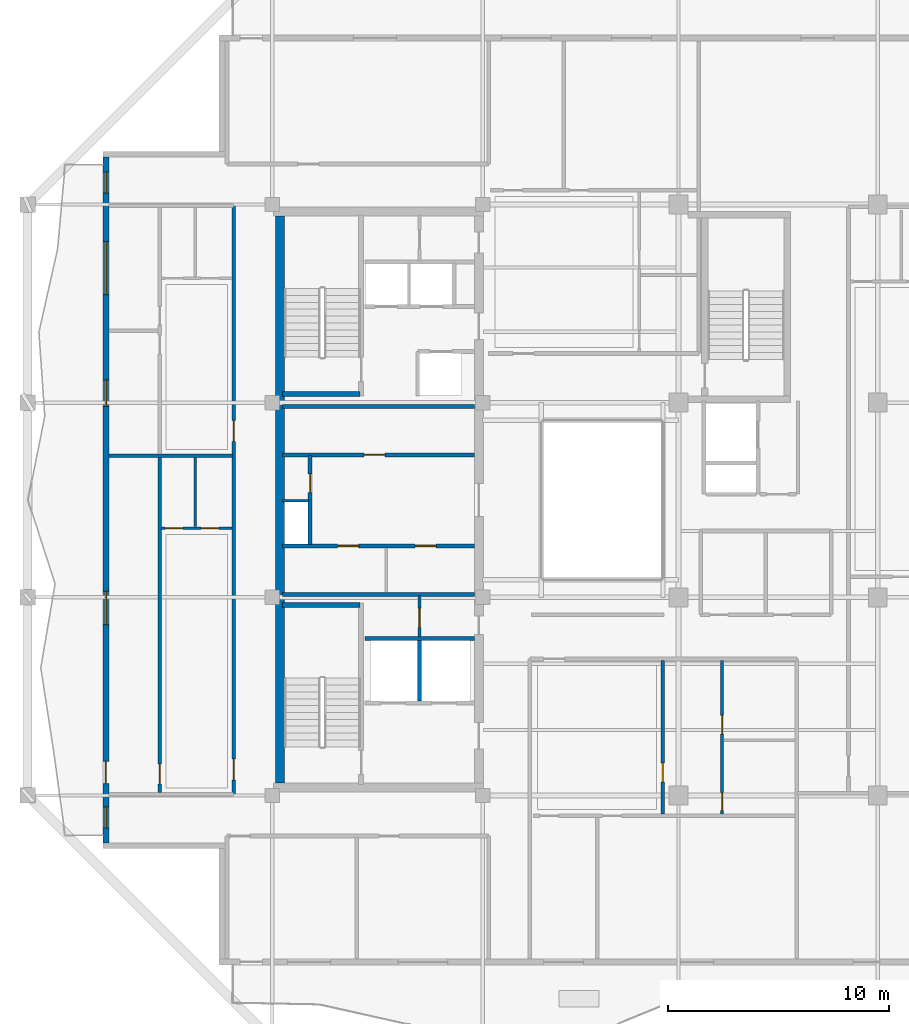
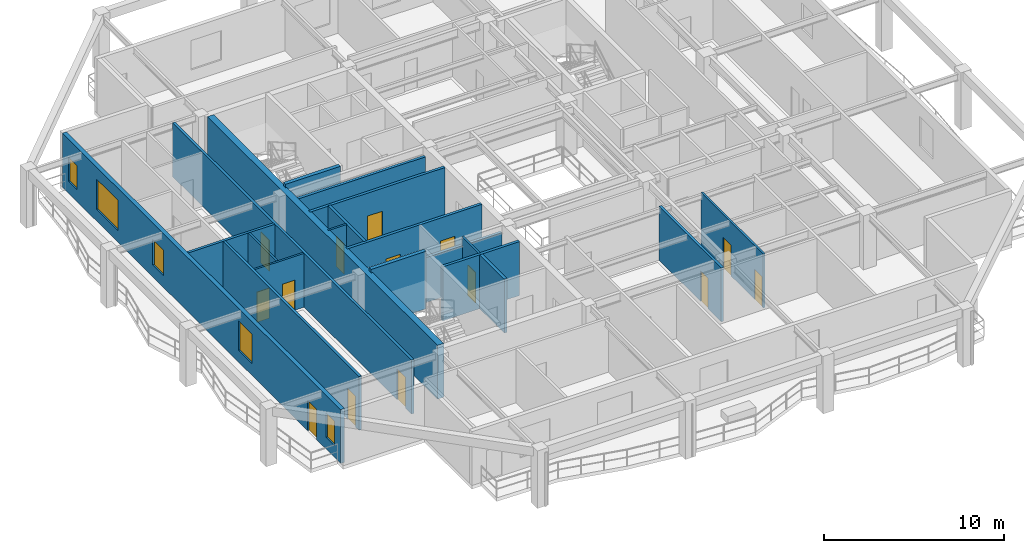
# One storey, part 3 of 11: 20 walls, 14 doors, 5 windows, 19 openings.
"""IFC4 building model written with IfcOpenShell, lengths in metres."""

from ifc_helpers import new_model, si_unit, direction, frame, frame_2d, origin, place, context, subcontext, project, spatial, rectangle, extrude, material, layer, layer_set, type_object, element, fill, save


model = new_model("IFC4")

# Units and contexts
model_context = context("Model", 3, precision=1e-05, world=origin(), true_north=direction((0.0, 1.0)))
body_context = subcontext(model_context, "Body", "Model", "MODEL_VIEW")
ifc_project = project(units=[si_unit("LENGTHUNIT", "METRE"), si_unit("AREAUNIT", "SQUARE_METRE"), si_unit("VOLUMEUNIT", "CUBIC_METRE"), si_unit("PLANEANGLEUNIT", "RADIAN"), si_unit("MASSUNIT", "GRAM", prefix="KILO")], contexts=[model_context])

# Site, building, storey
site_placement = place(None, origin())
site = spatial("IfcSite", under=ifc_project, at=site_placement, CompositionType="ELEMENT")
building_placement = place(site_placement, origin())
building = spatial("IfcBuilding", under=site, at=building_placement, Name="Kundavana Baori Tower", CompositionType="ELEMENT")
storey_placement = place(building_placement, frame((0.0, 0.0, 249.199951171875)))
storey = spatial("IfcBuildingStorey", under=building, at=storey_placement, Name="L61", CompositionType="ELEMENT", Elevation=249.199951171875)

# Walls
ifc_material_1 = material(Name="Concrete C50/60", Category="concrete")
ifc_layer_1 = layer(ifc_material_1, 0.39990234375, Name="WL-CORE-400")
ifc_layer_set_1 = layer_set([ifc_layer_1], Name="Concrete C50/60")
wall_type_1 = type_object("IfcWallType", Name="WL-CORE-400", PredefinedType="SHEAR", material=ifc_layer_set_1)
wall_1_placement = place(storey_placement, frame((15.7900390625, 15.81005859375, 0.0), z_axis=(0.0, 0.0, 1.0), x_axis=(0.0, 1.0, 0.0)))
element("IfcWall", 1, at=wall_1_placement, inside=storey, type_object=wall_type_1, Name="L61 Offset Core West Shear Wall", PredefinedType="SHEAR", context=body_context, shape_type="SweptSolid", body=[
    extrude(rectangle(XDim=25.6298828125, YDim=0.39990234375, at=frame_2d((12.81494140625, 0.0))), origin(), (0.0, 0.0, 1.0), 3.66015625),
])
for number, where, z_axis, x_axis, name in (
    (2, (15.89990234375, 23.860107421875, 0.0), (0.0, 0.0, 1.0), (1.0, 0.0, 0.0), "WL-L61-ST1-N"),
    (3, (15.89990234375, 33.389892578125, 0.0), (0.0, 0.0, 1.0), (1.0, 0.0, 0.0), "WL-L61-ST2-S"),
):
    element("IfcWall", number, at=place(storey_placement, frame(where, z_axis=z_axis, x_axis=x_axis)), inside=storey, type_object=wall_type_1, Name=name, PredefinedType="SHEAR", context=body_context, shape_type="SweptSolid", body=[
        extrude(rectangle(XDim=3.52001953125, YDim=0.239990234375, at=frame_2d((1.760009765625, 0.0))), origin(), (0.0, 0.0, 1.0), 3.900146484375),
    ])

# Wall, openings, door, windows
ifc_material_2 = material(Name="Kiln-Fired Terracotta Brick-Slip Masonry on Concrete C40/50", Category="masonry")
ifc_layer_2 = layer(ifc_material_2, 0.260009765625, Name="WL-EXT-BRK-260")
ifc_layer_set_2 = layer_set([ifc_layer_2], Name="Kiln-Fired Terracotta Brick-Slip Masonry on Concrete C40/50")
wall_type_2 = type_object("IfcWallType", Name="WL-EXT-BRK-260", PredefinedType="SOLIDWALL", material=ifc_layer_set_2)
wall_2_placement = place(storey_placement, frame((7.929931640625, 44.090087890625, 0.0), z_axis=(0.0, 0.0, 1.0), x_axis=(0.0, -1.0, 0.0)))
wall_2 = element("IfcWall", 4, at=wall_2_placement, inside=storey, type_object=wall_type_2, Name="L61 Exterior Insulated Facade Wall 10", PredefinedType="SOLIDWALL", context=body_context, shape_type="SweptSolid", body=[
    extrude(rectangle(XDim=30.97998046875, YDim=0.260009765625, at=frame_2d((15.489990234375, 0.0))), origin(), (0.0, 0.0, 1.0), 3.66015625),
])
opening_1_placement = place(wall_2_placement, frame((29.35498046875, 0.0, 0.800048828125)))
opening_1 = element("IfcOpeningElement", 5, at=opening_1_placement, cuts=wall_2, Name="Opening W-13", PredefinedType="OPENING", context=body_context, shape_type="SweptSolid", body=[
    extrude(rectangle(XDim=0.949951171875, YDim=1.64990234375, at=frame_2d((0.47509765625, 0.824951171875))), frame((0.0, 0.14013671875, 0.0), z_axis=(0.0, -1.0, 0.0), x_axis=(1.0, 0.0, 0.0)), (0.0, 0.0, 1.0), 0.280029296875),
])
opening_2_placement = place(wall_2_placement, frame((27.300048828125, 0.0, 0.0)))
opening_2 = element("IfcOpeningElement", 6, at=opening_2_placement, cuts=wall_2, Name="Opening BD-1", PredefinedType="OPENING", context=body_context, shape_type="SweptSolid", body=[
    extrude(rectangle(XDim=1.0, YDim=2.050048828125, at=frame_2d((0.5, 1.02490234375))), frame((0.0, 0.14013671875, 0.0), z_axis=(0.0, -1.0, 0.0), x_axis=(1.0, 0.0, 0.0)), (0.0, 0.0, 1.0), 0.280029296875),
])
opening_3_placement = place(wall_2_placement, frame((19.614990234375, 0.0, 0.800048828125)))
opening_3 = element("IfcOpeningElement", 7, at=opening_3_placement, cuts=wall_2, Name="Opening W-02", PredefinedType="OPENING", context=body_context, shape_type="SweptSolid", body=[
    extrude(rectangle(XDim=1.5, YDim=2.0, at=frame_2d((0.75, 1.0))), frame((0.0, 0.14013671875, 0.0), z_axis=(0.0, -1.0, 0.0), x_axis=(1.0, 0.0, 0.0)), (0.0, 0.0, 1.0), 0.280029296875),
])
opening_4_placement = place(wall_2_placement, frame((10.06494140625, 0.0, 0.800048828125)))
opening_4 = element("IfcOpeningElement", 8, at=opening_4_placement, cuts=wall_2, Name="Opening W-03", PredefinedType="OPENING", context=body_context, shape_type="SweptSolid", body=[
    extrude(rectangle(XDim=1.199951171875, YDim=1.75, at=frame_2d((0.60009765625, 0.875))), frame((0.0, 0.14013671875, 0.0), z_axis=(0.0, -1.0, 0.0), x_axis=(1.0, 0.0, 0.0)), (0.0, 0.0, 1.0), 0.280029296875),
])
opening_5_placement = place(wall_2_placement, frame((3.81494140625, 0.0, 0.800048828125)))
opening_5 = element("IfcOpeningElement", 9, at=opening_5_placement, cuts=wall_2, Name="Opening W-04", PredefinedType="OPENING", context=body_context, shape_type="SweptSolid", body=[
    extrude(rectangle(XDim=2.39990234375, YDim=2.050048828125, at=frame_2d((1.199951171875, 1.02490234375))), frame((0.0, 0.14013671875, 0.0), z_axis=(0.0, -1.0, 0.0), x_axis=(1.0, 0.0, 0.0)), (0.0, 0.0, 1.0), 0.280029296875),
])
opening_6_placement = place(wall_2_placement, frame((0.675048828125, 0.0, 0.800048828125)))
opening_6 = element("IfcOpeningElement", 10, at=opening_6_placement, cuts=wall_2, Name="Opening W-13", PredefinedType="OPENING", context=body_context, shape_type="SweptSolid", body=[
    extrude(rectangle(XDim=0.949951171875, YDim=1.64990234375, at=frame_2d((0.47509765625, 0.824951171875))), frame((0.0, 0.14013671875, 0.0), z_axis=(0.0, -1.0, 0.0), x_axis=(1.0, 0.0, 0.0)), (0.0, 0.0, 1.0), 0.280029296875),
])
ifc_material_3 = material(Name="Architectural Patinated Bronze Metalwork")
door_type_1 = type_object("IfcDoorType", Name="DR-EXT-LOG-1000", OperationType="NOTDEFINED", PredefinedType="DOOR", material=ifc_material_3)
door_1_placement = place(opening_2_placement, frame((1.0, 0.0, 0.0), z_axis=(0.0, 0.0, 1.0), x_axis=(-1.0, 0.0, 0.0)))
door_1 = element("IfcDoor", 11, at=door_1_placement, inside=storey, type_object=door_type_1, Name="L61 Loggia Balcony Access Door W", OperationType="SINGLE_SWING_LEFT", OverallHeight=2.050048828125, OverallWidth=1.0, PredefinedType="DOOR", context=body_context, shape_type="SweptSolid", body=[
    extrude(rectangle(XDim=1.0, YDim=2.050048828125, at=frame_2d((0.5, 1.02490234375))), frame((0.0, 0.02490234375, 0.0), z_axis=(0.0, -1.0, 0.0), x_axis=(1.0, 0.0, 0.0)), (0.0, 0.0, 1.0), 0.050048828125),
])
fill(opening_2, door_1)
ifc_material_4 = material(Name="Double-Glazed Solar-Control Low-E Insulated Glass", Category="glass")
window_type_1 = type_object("IfcWindowType", Name="WIN-LOG-1200x1750", PartitioningType="SINGLE_PANEL", PredefinedType="WINDOW", material=ifc_material_4)
window_1_placement = place(opening_4_placement, origin())
window_1 = element("IfcWindow", 12, at=window_1_placement, inside=storey, type_object=window_type_1, Name="L61 Recessed Loggia Window W-3", OverallHeight=1.75, OverallWidth=1.199951171875, PartitioningType="SINGLE_PANEL", PredefinedType="WINDOW", context=body_context, shape_type="SweptSolid", body=[
    extrude(rectangle(XDim=1.199951171875, YDim=1.75, at=frame_2d((0.60009765625, 0.875))), frame((0.0, 0.030029296875, 0.0), z_axis=(0.0, -1.0, 0.0), x_axis=(1.0, 0.0, 0.0)), (0.0, 0.0, 1.0), 0.06005859375),
])
fill(opening_4, window_1)
ifc_material_5 = material(Name="Double-Glazed Solar-Control Low-E Insulated Glass", Category="glass")
window_type_2 = type_object("IfcWindowType", Name="WIN-LOG-1500x2000", PartitioningType="SINGLE_PANEL", PredefinedType="WINDOW", material=ifc_material_5)
window_2_placement = place(opening_3_placement, origin())
window_2 = element("IfcWindow", 13, at=window_2_placement, inside=storey, type_object=window_type_2, Name="L61 Recessed Loggia Window W-2", OverallHeight=2.0, OverallWidth=1.5, PartitioningType="SINGLE_PANEL", PredefinedType="WINDOW", context=body_context, shape_type="SweptSolid", body=[
    extrude(rectangle(XDim=1.5, YDim=2.0, at=frame_2d((0.75, 1.0))), frame((0.0, 0.030029296875, 0.0), z_axis=(0.0, -1.0, 0.0), x_axis=(1.0, 0.0, 0.0)), (0.0, 0.0, 1.0), 0.06005859375),
])
fill(opening_3, window_2)
ifc_material_6 = material(Name="Double-Glazed Solar-Control Low-E Insulated Glass", Category="glass")
window_type_3 = type_object("IfcWindowType", Name="WIN-LOG-2400x2050", PartitioningType="SINGLE_PANEL", PredefinedType="WINDOW", material=ifc_material_6)
window_3_placement = place(opening_5_placement, origin())
window_3 = element("IfcWindow", 14, at=window_3_placement, inside=storey, type_object=window_type_3, Name="L61 Recessed Loggia Window W-4", OverallHeight=2.050048828125, OverallWidth=2.39990234375, PartitioningType="SINGLE_PANEL", PredefinedType="WINDOW", context=body_context, shape_type="SweptSolid", body=[
    extrude(rectangle(XDim=2.39990234375, YDim=2.050048828125, at=frame_2d((1.199951171875, 1.02490234375))), frame((0.0, 0.030029296875, 0.0), z_axis=(0.0, -1.0, 0.0), x_axis=(1.0, 0.0, 0.0)), (0.0, 0.0, 1.0), 0.06005859375),
])
fill(opening_5, window_3)
ifc_material_7 = material(Name="Double-Glazed Solar-Control Low-E Insulated Glass", Category="glass")
window_type_4 = type_object("IfcWindowType", Name="WIN-LOG-950x1650", PartitioningType="SINGLE_PANEL", PredefinedType="WINDOW", material=ifc_material_7)
window_4_placement = place(opening_1_placement, origin())
window_4 = element("IfcWindow", 15, at=window_4_placement, inside=storey, type_object=window_type_4, Name="L61 Recessed Loggia Window W-1", OverallHeight=1.64990234375, OverallWidth=0.949951171875, PartitioningType="SINGLE_PANEL", PredefinedType="WINDOW", context=body_context, shape_type="SweptSolid", body=[
    extrude(rectangle(XDim=0.949951171875, YDim=1.64990234375, at=frame_2d((0.47509765625, 0.824951171875))), frame((0.0, 0.030029296875, 0.0), z_axis=(0.0, -1.0, 0.0), x_axis=(1.0, 0.0, 0.0)), (0.0, 0.0, 1.0), 0.06005859375),
])
fill(opening_1, window_4)
window_5_placement = place(opening_6_placement, origin())
window_5 = element("IfcWindow", 16, at=window_5_placement, inside=storey, type_object=window_type_4, Name="L61 Recessed Loggia Window W-5", OverallHeight=1.64990234375, OverallWidth=0.949951171875, PartitioningType="SINGLE_PANEL", PredefinedType="WINDOW", context=body_context, shape_type="SweptSolid", body=[
    extrude(rectangle(XDim=0.949951171875, YDim=1.64990234375, at=frame_2d((0.47509765625, 0.824951171875))), frame((0.0, 0.030029296875, 0.0), z_axis=(0.0, -1.0, 0.0), x_axis=(1.0, 0.0, 0.0)), (0.0, 0.0, 1.0), 0.06005859375),
])
fill(opening_6, window_5)

# Wall, opening, door
ifc_material_8 = material(Name="Acoustic Gypsum Plasterboard on Galvanised Steel Studs", Category="steel")
ifc_layer_3 = layer(ifc_material_8, 0.1201171875, Name="WL-PART-120")
ifc_layer_set_3 = layer_set([ifc_layer_3], Name="Acoustic Gypsum Plasterboard on Galvanised Steel Studs")
wall_type_3 = type_object("IfcWallType", Name="WL-PART-120", PredefinedType="PARTITIONING", material=ifc_layer_set_3)
wall_3_placement = place(storey_placement, frame((22.10009765625, 22.39990234375, 0.0), z_axis=(0.0, 0.0, 1.0), x_axis=(0.0, 1.0, 0.0)))
wall_3 = element("IfcWall", 17, at=wall_3_placement, inside=storey, type_object=wall_type_3, Name="WL-L61-CSMK-D1", PredefinedType="PARTITIONING", context=body_context, shape_type="SweptSolid", body=[
    extrude(rectangle(XDim=1.880126953125, YDim=0.1201171875, at=frame_2d((0.93994140625, 0.0))), origin(), (0.0, 0.0, 1.0), 3.66015625),
])
opening_7_placement = place(wall_3_placement, frame((0.449951171875, 0.0, 0.0)))
opening_7 = element("IfcOpeningElement", 18, at=opening_7_placement, cuts=wall_3, Name="Opening FD-085", PredefinedType="OPENING", context=body_context, shape_type="SweptSolid", body=[
    extrude(rectangle(XDim=0.85009765625, YDim=2.06005859375, at=frame_2d((0.425048828125, 1.030029296875))), frame((0.0, 0.070068359375, 0.0), z_axis=(0.0, -1.0, 0.0), x_axis=(1.0, 0.0, 0.0)), (0.0, 0.0, 1.0), 0.14013671875),
])
ifc_material_9 = material(Name="Galvanised Steel Fire-Rated Door Leaf", Category="steel")
door_type_2 = type_object("IfcDoorType", Name="DR-FD60-850", OperationType="NOTDEFINED", PredefinedType="DOOR", material=ifc_material_9)
door_2_placement = place(opening_7_placement, origin())
door_2 = element("IfcDoor", 19, at=door_2_placement, inside=storey, type_object=door_type_2, Name="DR-L61-CSMK1", OperationType="SINGLE_SWING_LEFT", OverallHeight=2.06005859375, OverallWidth=0.85009765625, PredefinedType="DOOR", context=body_context, shape_type="SweptSolid", body=[
    extrude(rectangle(XDim=0.85009765625, YDim=2.06005859375, at=frame_2d((0.425048828125, 1.030029296875))), frame((0.0, 0.02490234375, 0.0), z_axis=(0.0, -1.0, 0.0), x_axis=(1.0, 0.0, 0.0)), (0.0, 0.0, 1.0), 0.050048828125),
])
fill(opening_7, door_2)

# Wall
wall_4_placement = place(storey_placement, frame((15.89990234375, 28.56005859375, 0.0), z_axis=(0.0, 0.0, 1.0), x_axis=(1.0, 0.0, 0.0)))
element("IfcWall", 20, at=wall_4_placement, inside=storey, type_object=wall_type_3, Name="WL-L61-RSRW-N", PredefinedType="PARTITIONING", context=body_context, shape_type="SweptSolid", body=[
    extrude(rectangle(XDim=1.2001953125, YDim=0.1201171875, at=frame_2d((0.60009765625, 0.0))), origin(), (0.0, 0.0, 1.0), 3.66015625),
])

# Wall, openings, doors
ifc_material_10 = material(Name="Fire-Rated Gypsum Drywall on Galvanised Steel Studs", Category="steel")
ifc_layer_4 = layer(ifc_material_10, 0.1650390625, Name="WL-PART-165")
ifc_layer_set_4 = layer_set([ifc_layer_4], Name="Fire-Rated Gypsum Drywall on Galvanised Steel Studs")
wall_type_4 = type_object("IfcWallType", Name="WL-PART-165", PredefinedType="PARTITIONING", material=ifc_layer_set_4)
wall_5_placement = place(storey_placement, frame((13.699951171875, 15.300048828125, 0.0), z_axis=(0.0, 0.0, 1.0), x_axis=(0.0, 1.0, 0.0)))
wall_5 = element("IfcWall", 21, at=wall_5_placement, inside=storey, type_object=wall_type_4, Name="WL-L61-RW", PredefinedType="PARTITIONING", context=body_context, shape_type="SweptSolid", body=[
    extrude(rectangle(XDim=26.599853515625, YDim=0.1650390625, at=frame_2d((13.2998046875, 0.0))), origin(), (0.0, 0.0, 1.0), 3.66015625),
])
opening_8_placement = place(wall_5_placement, frame((0.64990234375, 0.0, 0.0)))
opening_8 = element("IfcOpeningElement", 22, at=opening_8_placement, cuts=wall_5, Name="Opening FD-095", PredefinedType="OPENING", context=body_context, shape_type="SweptSolid", body=[
    extrude(rectangle(XDim=0.949951171875, YDim=2.10009765625, at=frame_2d((0.47509765625, 1.050048828125))), frame((0.0, 0.092529296875, 0.0), z_axis=(0.0, -1.0, 0.0), x_axis=(1.0, 0.0, 0.0)), (0.0, 0.0, 1.0), 0.18505859375),
])
opening_9_placement = place(wall_5_placement, frame((15.949951171875, 0.0, 0.0)))
opening_9 = element("IfcOpeningElement", 23, at=opening_9_placement, cuts=wall_5, Name="Opening FD-095", PredefinedType="OPENING", context=body_context, shape_type="SweptSolid", body=[
    extrude(rectangle(XDim=0.949951171875, YDim=2.10009765625, at=frame_2d((0.47509765625, 1.050048828125))), frame((0.0, 0.092529296875, 0.0), z_axis=(0.0, -1.0, 0.0), x_axis=(1.0, 0.0, 0.0)), (0.0, 0.0, 1.0), 0.18505859375),
])
ifc_material_11 = material(Name="Engineered Teak Fire-Rated Timber Door Leaf", Category="wood")
door_type_3 = type_object("IfcDoorType", Name="DR-FD60-950", OperationType="NOTDEFINED", PredefinedType="DOOR", material=ifc_material_11)
door_3_placement = place(opening_8_placement, frame((0.949951171875, 0.0, 0.0), z_axis=(0.0, 0.0, 1.0), x_axis=(-1.0, 0.0, 0.0)))
door_3 = element("IfcDoor", 24, at=door_3_placement, inside=storey, type_object=door_type_3, Name="DR-L61-W1-ENT", OperationType="SINGLE_SWING_LEFT", OverallHeight=2.10009765625, OverallWidth=0.949951171875, PredefinedType="DOOR", context=body_context, shape_type="SweptSolid", body=[
    extrude(rectangle(XDim=0.949951171875, YDim=2.10009765625, at=frame_2d((0.47509765625, 1.050048828125))), frame((0.0, 0.02490234375, 0.0), z_axis=(0.0, -1.0, 0.0), x_axis=(1.0, 0.0, 0.0)), (0.0, 0.0, 1.0), 0.050048828125),
])
fill(opening_8, door_3)
door_4_placement = place(opening_9_placement, frame((0.949951171875, 0.0, 0.0), z_axis=(0.0, 0.0, 1.0), x_axis=(-1.0, 0.0, 0.0)))
door_4 = element("IfcDoor", 25, at=door_4_placement, inside=storey, type_object=door_type_3, Name="DR-L61-W2-ENT", OperationType="SINGLE_SWING_LEFT", OverallHeight=2.10009765625, OverallWidth=0.949951171875, PredefinedType="DOOR", context=body_context, shape_type="SweptSolid", body=[
    extrude(rectangle(XDim=0.949951171875, YDim=2.10009765625, at=frame_2d((0.47509765625, 1.050048828125))), frame((0.0, 0.02490234375, 0.0), z_axis=(0.0, -1.0, 0.0), x_axis=(1.0, 0.0, 0.0)), (0.0, 0.0, 1.0), 0.050048828125),
])
fill(opening_9, door_4)

# Wall, opening, door
wall_6_placement = place(storey_placement, frame((10.3701171875, 15.3798828125, 0.0), z_axis=(0.0, 0.0, 1.0), x_axis=(0.0, 1.0, 0.0)))
wall_6 = element("IfcWall", 26, at=wall_6_placement, inside=storey, type_object=wall_type_4, Name="WL-L61-W1-VT", PredefinedType="PARTITIONING", context=body_context, shape_type="SweptSolid", body=[
    extrude(rectangle(XDim=15.14013671875, YDim=0.1650390625, at=frame_2d((7.570068359375, 0.0))), origin(), (0.0, 0.0, 1.0), 3.66015625),
])
opening_10_placement = place(wall_6_placement, frame((0.39990234375, 0.0, 0.0)))
opening_10 = element("IfcOpeningElement", 27, at=opening_10_placement, cuts=wall_6, Name="Opening ID-090", PredefinedType="OPENING", context=body_context, shape_type="SweptSolid", body=[
    extrude(rectangle(XDim=0.89990234375, YDim=2.080078125, at=frame_2d((0.449951171875, 1.0400390625))), frame((0.0, 0.092529296875, 0.0), z_axis=(0.0, -1.0, 0.0), x_axis=(1.0, 0.0, 0.0)), (0.0, 0.0, 1.0), 0.18505859375),
])
ifc_material_12 = material(Name="Engineered Teak Solid-Core Timber Veneer", Category="wood")
door_type_4 = type_object("IfcDoorType", Name="DR-INT-900", OperationType="NOTDEFINED", PredefinedType="DOOR", material=ifc_material_12)
door_5_placement = place(opening_10_placement, frame((0.89990234375, 0.0, 0.0), z_axis=(0.0, 0.0, 1.0), x_axis=(-1.0, 0.0, 0.0)))
door_5 = element("IfcDoor", 28, at=door_5_placement, inside=storey, type_object=door_type_4, Name="DR-L61-W1-B1", OperationType="SINGLE_SWING_LEFT", OverallHeight=2.080078125, OverallWidth=0.89990234375, PredefinedType="DOOR", context=body_context, shape_type="SweptSolid", body=[
    extrude(rectangle(XDim=0.89990234375, YDim=2.080078125, at=frame_2d((0.449951171875, 1.0400390625))), frame((0.0, 0.02490234375, 0.0), z_axis=(0.0, -1.0, 0.0), x_axis=(1.0, 0.0, 0.0)), (0.0, 0.0, 1.0), 0.050048828125),
])
fill(opening_10, door_5)

# Wall
wall_7_placement = place(storey_placement, frame((8.080078125, 30.60009765625, 0.0), z_axis=(0.0, 0.0, 1.0), x_axis=(1.0, 0.0, 0.0)))
element("IfcWall", 29, at=wall_7_placement, inside=storey, type_object=wall_type_4, Name="WL-L61-RWD1", PredefinedType="PARTITIONING", context=body_context, shape_type="SweptSolid", body=[
    extrude(rectangle(XDim=5.559814453125, YDim=0.1650390625, at=frame_2d((2.77978515625, 0.0))), origin(), (0.0, 0.0, 1.0), 3.66015625),
])

# Wall, opening, door
wall_8_placement = place(storey_placement, frame((33.090087890625, 14.4208984375, 0.0), z_axis=(0.0, 0.0, 1.0), x_axis=(0.0, 1.0, 0.0)))
wall_8 = element("IfcWall", 30, at=wall_8_placement, inside=storey, type_object=wall_type_4, Name="WL-L61-S1-STU", PredefinedType="PARTITIONING", context=body_context, shape_type="SweptSolid", body=[
    extrude(rectangle(XDim=6.919189453125, YDim=0.1650390625, at=frame_2d((3.45947265625, 0.0))), origin(), (0.0, 0.0, 1.0), 3.66015625),
])
opening_11_placement = place(wall_8_placement, frame((1.449951171875, 0.0, 0.0)))
opening_11 = element("IfcOpeningElement", 31, at=opening_11_placement, cuts=wall_8, Name="Opening ID-085", PredefinedType="OPENING", context=body_context, shape_type="SweptSolid", body=[
    extrude(rectangle(XDim=0.85009765625, YDim=2.080078125, at=frame_2d((0.425048828125, 1.0400390625))), frame((0.0, 0.092529296875, 0.0), z_axis=(0.0, -1.0, 0.0), x_axis=(1.0, 0.0, 0.0)), (0.0, 0.0, 1.0), 0.18505859375),
])
ifc_material_13 = material(Name="Engineered Teak Solid-Core Timber Veneer", Category="wood")
door_type_5 = type_object("IfcDoorType", Name="DR-INT-850", OperationType="NOTDEFINED", PredefinedType="DOOR", material=ifc_material_13)
door_6_placement = place(opening_11_placement, origin())
door_6 = element("IfcDoor", 32, at=door_6_placement, inside=storey, type_object=door_type_5, Name="DR-L61-S1-STD", OperationType="SINGLE_SWING_LEFT", OverallHeight=2.080078125, OverallWidth=0.85009765625, PredefinedType="DOOR", context=body_context, shape_type="SweptSolid", body=[
    extrude(rectangle(XDim=0.85009765625, YDim=2.080078125, at=frame_2d((0.425048828125, 1.0400390625))), frame((0.0, 0.02490234375, 0.0), z_axis=(0.0, -1.0, 0.0), x_axis=(1.0, 0.0, 0.0)), (0.0, 0.0, 1.0), 0.050048828125),
])
fill(opening_11, door_6)

# Walls
ifc_material_14 = material(Name="Autoclaved Aerated Concrete Blockwork Masonry", Category="masonry")
ifc_layer_5 = layer(ifc_material_14, 0.179931640625, Name="WL-SHAFT-180")
ifc_layer_set_5 = layer_set([ifc_layer_5], Name="Autoclaved Aerated Concrete Blockwork Masonry")
wall_type_5 = type_object("IfcWallType", Name="WL-SHAFT-180", PredefinedType="SOLIDWALL", material=ifc_layer_set_5)
wall_9_placement = place(storey_placement, frame((22.10009765625, 19.510009765625, 0.0), z_axis=(0.0, 0.0, 1.0), x_axis=(0.0, 1.0, 0.0)))
element("IfcWall", 33, at=wall_9_placement, inside=storey, type_object=wall_type_5, Name="WL-L61-FFL-MID", PredefinedType="SOLIDWALL", context=body_context, shape_type="SweptSolid", body=[
    extrude(rectangle(XDim=2.739990234375, YDim=0.179931640625, at=frame_2d((1.3701171875, 0.0))), origin(), (0.0, 0.0, 1.0), 3.66015625),
])
wall_10_placement = place(storey_placement, frame((19.639892578125, 22.340087890625, 0.0), z_axis=(0.0, 0.0, 1.0), x_axis=(1.0, 0.0, 0.0)))
element("IfcWall", 34, at=wall_10_placement, inside=storey, type_object=wall_type_5, Name="WL-L61-FFL-N", PredefinedType="SOLIDWALL", context=body_context, shape_type="SweptSolid", body=[
    extrude(rectangle(XDim=4.940185546875, YDim=0.179931640625, at=frame_2d((2.47021484375, 0.0))), origin(), (0.0, 0.0, 1.0), 3.66015625),
])

# Wall, openings, doors
wall_11_placement = place(storey_placement, frame((15.89990234375, 26.52001953125, 0.0), z_axis=(0.0, 0.0, 1.0), x_axis=(1.0, 0.0, 0.0)))
wall_11 = element("IfcWall", 35, at=wall_11_placement, inside=storey, type_object=wall_type_5, Name="WL-L61-LPLOW-N", PredefinedType="SOLIDWALL", context=body_context, shape_type="SweptSolid", body=[
    extrude(rectangle(XDim=8.68017578125, YDim=0.179931640625, at=frame_2d((4.340087890625, 0.0))), origin(), (0.0, 0.0, 1.0), 3.66015625),
])
opening_12_placement = place(wall_11_placement, frame((2.5, 0.0, 0.0)))
opening_12 = element("IfcOpeningElement", 36, at=opening_12_placement, cuts=wall_11, Name="Opening FD-095", PredefinedType="OPENING", context=body_context, shape_type="SweptSolid", body=[
    extrude(rectangle(XDim=0.949951171875, YDim=2.10009765625, at=frame_2d((0.47509765625, 1.050048828125))), frame((0.0, 0.10009765625, 0.0), z_axis=(0.0, -1.0, 0.0), x_axis=(1.0, 0.0, 0.0)), (0.0, 0.0, 1.0), 0.199951171875),
])
opening_13_placement = place(wall_11_placement, frame((6.0, 0.0, 0.0)))
opening_13 = element("IfcOpeningElement", 37, at=opening_13_placement, cuts=wall_11, Name="Opening FD-095", PredefinedType="OPENING", context=body_context, shape_type="SweptSolid", body=[
    extrude(rectangle(XDim=0.949951171875, YDim=2.10009765625, at=frame_2d((0.47509765625, 1.050048828125))), frame((0.0, 0.10009765625, 0.0), z_axis=(0.0, -1.0, 0.0), x_axis=(1.0, 0.0, 0.0)), (0.0, 0.0, 1.0), 0.199951171875),
])
door_7_placement = place(opening_12_placement, origin())
door_7 = element("IfcDoor", 38, at=door_7_placement, inside=storey, type_object=door_type_3, Name="DR-L61-FRLOW1", OperationType="SINGLE_SWING_LEFT", OverallHeight=2.10009765625, OverallWidth=0.949951171875, PredefinedType="DOOR", context=body_context, shape_type="SweptSolid", body=[
    extrude(rectangle(XDim=0.949951171875, YDim=2.10009765625, at=frame_2d((0.47509765625, 1.050048828125))), frame((0.0, 0.02490234375, 0.0), z_axis=(0.0, -1.0, 0.0), x_axis=(1.0, 0.0, 0.0)), (0.0, 0.0, 1.0), 0.050048828125),
])
fill(opening_12, door_7)
door_8_placement = place(opening_13_placement, origin())
door_8 = element("IfcDoor", 39, at=door_8_placement, inside=storey, type_object=door_type_3, Name="DR-L61-FRLOW2", OperationType="SINGLE_SWING_RIGHT", OverallHeight=2.10009765625, OverallWidth=0.949951171875, PredefinedType="DOOR", context=body_context, shape_type="SweptSolid", body=[
    extrude(rectangle(XDim=0.949951171875, YDim=2.10009765625, at=frame_2d((0.47509765625, 1.050048828125))), frame((0.0, 0.02490234375, 0.0), z_axis=(0.0, -1.0, 0.0), x_axis=(1.0, 0.0, 0.0)), (0.0, 0.0, 1.0), 0.050048828125),
])
fill(opening_13, door_8)

# Wall
wall_12_placement = place(storey_placement, frame((15.89990234375, 24.330078125, 0.0), z_axis=(0.0, 0.0, 1.0), x_axis=(1.0, 0.0, 0.0)))
element("IfcWall", 40, at=wall_12_placement, inside=storey, type_object=wall_type_5, Name="WL-L61-LPLOW-S", PredefinedType="SOLIDWALL", context=body_context, shape_type="SweptSolid", body=[
    extrude(rectangle(XDim=8.68017578125, YDim=0.179931640625, at=frame_2d((4.340087890625, 0.0))), origin(), (0.0, 0.0, 1.0), 3.06005859375),
])

# Wall, opening, door
wall_13_placement = place(storey_placement, frame((17.159912109375, 26.580078125, 0.0), z_axis=(0.0, 0.0, 1.0), x_axis=(0.0, 1.0, 0.0)))
wall_13 = element("IfcWall", 41, at=wall_13_placement, inside=storey, type_object=wall_type_5, Name="WL-L61-RSRW-E", PredefinedType="SOLIDWALL", context=body_context, shape_type="SweptSolid", body=[
    extrude(rectangle(XDim=4.02001953125, YDim=0.179931640625, at=frame_2d((2.010009765625, 0.0))), origin(), (0.0, 0.0, 1.0), 3.66015625),
])
opening_14_placement = place(wall_13_placement, frame((2.35009765625, 0.0, 0.0)))
opening_14 = element("IfcOpeningElement", 42, at=opening_14_placement, cuts=wall_13, Name="Opening FD-085", PredefinedType="OPENING", context=body_context, shape_type="SweptSolid", body=[
    extrude(rectangle(XDim=0.85009765625, YDim=2.06005859375, at=frame_2d((0.425048828125, 1.030029296875))), frame((0.0, 0.10009765625, 0.0), z_axis=(0.0, -1.0, 0.0), x_axis=(1.0, 0.0, 0.0)), (0.0, 0.0, 1.0), 0.199951171875),
])
door_9_placement = place(opening_14_placement, origin())
door_9 = element("IfcDoor", 43, at=door_9_placement, inside=storey, type_object=door_type_2, Name="DR-L61-CLN", OperationType="SINGLE_SWING_RIGHT", OverallHeight=2.06005859375, OverallWidth=0.85009765625, PredefinedType="DOOR", context=body_context, shape_type="SweptSolid", body=[
    extrude(rectangle(XDim=0.85009765625, YDim=2.06005859375, at=frame_2d((0.425048828125, 1.030029296875))), frame((0.0, 0.02490234375, 0.0), z_axis=(0.0, -1.0, 0.0), x_axis=(1.0, 0.0, 0.0)), (0.0, 0.0, 1.0), 0.050048828125),
])
fill(opening_14, door_9)

wall_14_placement = place(storey_placement, frame((15.89990234375, 30.639892578125, 0.0), z_axis=(0.0, 0.0, 1.0), x_axis=(1.0, 0.0, 0.0)))
wall_14 = element("IfcWall", 44, at=wall_14_placement, inside=storey, type_object=wall_type_5, Name="WL-L61-LPMID-S", PredefinedType="SOLIDWALL", context=body_context, shape_type="SweptSolid", body=[
    extrude(rectangle(XDim=8.68017578125, YDim=0.179931640625, at=frame_2d((4.340087890625, 0.0))), origin(), (0.0, 0.0, 1.0), 3.66015625),
])
opening_15_placement = place(wall_14_placement, frame((3.699951171875, 0.0, 0.0)))
opening_15 = element("IfcOpeningElement", 45, at=opening_15_placement, cuts=wall_14, Name="Opening FD-095", PredefinedType="OPENING", context=body_context, shape_type="SweptSolid", body=[
    extrude(rectangle(XDim=0.949951171875, YDim=2.10009765625, at=frame_2d((0.47509765625, 1.050048828125))), frame((0.0, 0.10009765625, 0.0), z_axis=(0.0, -1.0, 0.0), x_axis=(1.0, 0.0, 0.0)), (0.0, 0.0, 1.0), 0.199951171875),
])
door_10_placement = place(opening_15_placement, frame((0.949951171875, 0.0, 0.0), z_axis=(0.0, 0.0, 1.0), x_axis=(-1.0, 0.0, 0.0)))
door_10 = element("IfcDoor", 46, at=door_10_placement, inside=storey, type_object=door_type_3, Name="DR-L61-FRMID1", OperationType="SINGLE_SWING_RIGHT", OverallHeight=2.10009765625, OverallWidth=0.949951171875, PredefinedType="DOOR", context=body_context, shape_type="SweptSolid", body=[
    extrude(rectangle(XDim=0.949951171875, YDim=2.10009765625, at=frame_2d((0.47509765625, 1.050048828125))), frame((0.0, 0.02490234375, 0.0), z_axis=(0.0, -1.0, 0.0), x_axis=(1.0, 0.0, 0.0)), (0.0, 0.0, 1.0), 0.050048828125),
])
fill(opening_15, door_10)

# Wall
wall_15_placement = place(storey_placement, frame((15.89990234375, 32.820068359375, 0.0), z_axis=(0.0, 0.0, 1.0), x_axis=(1.0, 0.0, 0.0)))
element("IfcWall", 47, at=wall_15_placement, inside=storey, type_object=wall_type_5, Name="WL-L61-LPMID-N", PredefinedType="SOLIDWALL", context=body_context, shape_type="SweptSolid", body=[
    extrude(rectangle(XDim=8.68017578125, YDim=0.179931640625, at=frame_2d((4.340087890625, 0.0))), origin(), (0.0, 0.0, 1.0), 3.06005859375),
])

# Wall, openings, doors
ifc_material_15 = material(Name="Autoclaved Aerated Concrete Blockwork Masonry", Category="masonry")
ifc_layer_6 = layer(ifc_material_15, 0.125, Name="WL-WET-120")
ifc_layer_set_6 = layer_set([ifc_layer_6], Name="Autoclaved Aerated Concrete Blockwork Masonry")
wall_type_6 = type_object("IfcWallType", Name="WL-WET-120", PredefinedType="PLUMBINGWALL", material=ifc_layer_set_6)
wall_16_placement = place(storey_placement, frame((10.449951171875, 27.320068359375, 0.0), z_axis=(0.0, 0.0, 1.0), x_axis=(1.0, 0.0, 0.0)))
wall_16 = element("IfcWall", 48, at=wall_16_placement, inside=storey, type_object=wall_type_6, Name="WL-L61-W1-KH", PredefinedType="PLUMBINGWALL", context=body_context, shape_type="SweptSolid", body=[
    extrude(rectangle(XDim=3.170166015625, YDim=0.125, at=frame_2d((1.5849609375, 0.0))), origin(), (0.0, 0.0, 1.0), 3.66015625),
])
opening_16_placement = place(wall_16_placement, frame((0.159912109375, 0.0, 0.0)))
opening_16 = element("IfcOpeningElement", 49, at=opening_16_placement, cuts=wall_16, Name="Opening WD-080", PredefinedType="OPENING", context=body_context, shape_type="SweptSolid", body=[
    extrude(rectangle(XDim=0.800048828125, YDim=2.050048828125, at=frame_2d((0.39990234375, 1.02490234375))), frame((0.0, 0.072509765625, 0.0), z_axis=(0.0, -1.0, 0.0), x_axis=(1.0, 0.0, 0.0)), (0.0, 0.0, 1.0), 0.14501953125),
])
opening_17_placement = place(wall_16_placement, frame((1.781982421875, 0.0, 0.0)))
opening_17 = element("IfcOpeningElement", 50, at=opening_17_placement, cuts=wall_16, Name="Opening WD-080", PredefinedType="OPENING", context=body_context, shape_type="SweptSolid", body=[
    extrude(rectangle(XDim=0.800048828125, YDim=2.050048828125, at=frame_2d((0.39990234375, 1.02490234375))), frame((0.0, 0.072509765625, 0.0), z_axis=(0.0, -1.0, 0.0), x_axis=(1.0, 0.0, 0.0)), (0.0, 0.0, 1.0), 0.14501953125),
])
ifc_material_16 = material(Name="Engineered Teak Solid-Core Timber Veneer", Category="wood")
door_type_6 = type_object("IfcDoorType", Name="DR-WET-800", OperationType="NOTDEFINED", PredefinedType="DOOR", material=ifc_material_16)
door_11_placement = place(opening_16_placement, origin())
door_11 = element("IfcDoor", 51, at=door_11_placement, inside=storey, type_object=door_type_6, Name="DR-L61-W1-BT", OperationType="SINGLE_SWING_LEFT", OverallHeight=2.050048828125, OverallWidth=0.800048828125, PredefinedType="DOOR", context=body_context, shape_type="SweptSolid", body=[
    extrude(rectangle(XDim=0.800048828125, YDim=2.050048828125, at=frame_2d((0.39990234375, 1.02490234375))), frame((0.0, 0.02490234375, 0.0), z_axis=(0.0, -1.0, 0.0), x_axis=(1.0, 0.0, 0.0)), (0.0, 0.0, 1.0), 0.050048828125),
])
fill(opening_16, door_11)
door_12_placement = place(opening_17_placement, origin())
door_12 = element("IfcDoor", 52, at=door_12_placement, inside=storey, type_object=door_type_6, Name="DR-L61-W1-KT", OperationType="SINGLE_SWING_RIGHT", OverallHeight=2.050048828125, OverallWidth=0.800048828125, PredefinedType="DOOR", context=body_context, shape_type="SweptSolid", body=[
    extrude(rectangle(XDim=0.800048828125, YDim=2.050048828125, at=frame_2d((0.39990234375, 1.02490234375))), frame((0.0, 0.02490234375, 0.0), z_axis=(0.0, -1.0, 0.0), x_axis=(1.0, 0.0, 0.0)), (0.0, 0.0, 1.0), 0.050048828125),
])
fill(opening_17, door_12)

# Wall
wall_17_placement = place(storey_placement, frame((11.971923828125, 27.39990234375, 0.0), z_axis=(0.0, 0.0, 1.0), x_axis=(0.0, 1.0, 0.0)))
element("IfcWall", 53, at=wall_17_placement, inside=storey, type_object=wall_type_6, Name="WL-L61-W1-BV", PredefinedType="PLUMBINGWALL", context=body_context, shape_type="SweptSolid", body=[
    extrude(rectangle(XDim=3.1201171875, YDim=0.125, at=frame_2d((1.56005859375, 0.0))), origin(), (0.0, 0.0, 1.0), 3.66015625),
])

# Wall, openings, doors
wall_18_placement = place(storey_placement, frame((35.77001953125, 14.4208984375, 0.0), z_axis=(0.0, 0.0, 1.0), x_axis=(0.0, 1.0, 0.0)))
wall_18 = element("IfcWall", 54, at=wall_18_placement, inside=storey, type_object=wall_type_6, Name="WL-L61-S1-KT", PredefinedType="PLUMBINGWALL", context=body_context, shape_type="SweptSolid", body=[
    extrude(rectangle(XDim=6.919189453125, YDim=0.125, at=frame_2d((3.45947265625, 0.0))), origin(), (0.0, 0.0, 1.0), 3.66015625),
])
opening_18_placement = place(wall_18_placement, frame((0.159912109375, 0.0, 0.0)))
opening_18 = element("IfcOpeningElement", 55, at=opening_18_placement, cuts=wall_18, Name="Opening WD-080", PredefinedType="OPENING", context=body_context, shape_type="SweptSolid", body=[
    extrude(rectangle(XDim=0.800048828125, YDim=2.050048828125, at=frame_2d((0.39990234375, 1.02490234375))), frame((0.0, 0.072509765625, 0.0), z_axis=(0.0, -1.0, 0.0), x_axis=(1.0, 0.0, 0.0)), (0.0, 0.0, 1.0), 0.14501953125),
])
opening_19_placement = place(wall_18_placement, frame((3.60107421875, 0.0, 0.0)))
opening_19 = element("IfcOpeningElement", 56, at=opening_19_placement, cuts=wall_18, Name="Opening ID-085", PredefinedType="OPENING", context=body_context, shape_type="SweptSolid", body=[
    extrude(rectangle(XDim=0.85009765625, YDim=2.080078125, at=frame_2d((0.425048828125, 1.0400390625))), frame((0.0, 0.072509765625, 0.0), z_axis=(0.0, -1.0, 0.0), x_axis=(1.0, 0.0, 0.0)), (0.0, 0.0, 1.0), 0.14501953125),
])
door_13_placement = place(opening_19_placement, origin())
door_13 = element("IfcDoor", 57, at=door_13_placement, inside=storey, type_object=door_type_5, Name="DR-L61-S1-KT", OperationType="SINGLE_SWING_RIGHT", OverallHeight=2.080078125, OverallWidth=0.85009765625, PredefinedType="DOOR", context=body_context, shape_type="SweptSolid", body=[
    extrude(rectangle(XDim=0.85009765625, YDim=2.080078125, at=frame_2d((0.425048828125, 1.0400390625))), frame((0.0, 0.02490234375, 0.0), z_axis=(0.0, -1.0, 0.0), x_axis=(1.0, 0.0, 0.0)), (0.0, 0.0, 1.0), 0.050048828125),
])
fill(opening_19, door_13)
door_14_placement = place(opening_18_placement, origin())
door_14 = element("IfcDoor", 58, at=door_14_placement, inside=storey, type_object=door_type_6, Name="DR-L61-S1-BT", OperationType="SINGLE_SWING_LEFT", OverallHeight=2.050048828125, OverallWidth=0.800048828125, PredefinedType="DOOR", context=body_context, shape_type="SweptSolid", body=[
    extrude(rectangle(XDim=0.800048828125, YDim=2.050048828125, at=frame_2d((0.39990234375, 1.02490234375))), frame((0.0, 0.02490234375, 0.0), z_axis=(0.0, -1.0, 0.0), x_axis=(1.0, 0.0, 0.0)), (0.0, 0.0, 1.0), 0.050048828125),
])
fill(opening_18, door_14)

save(model, "model.ifc")
